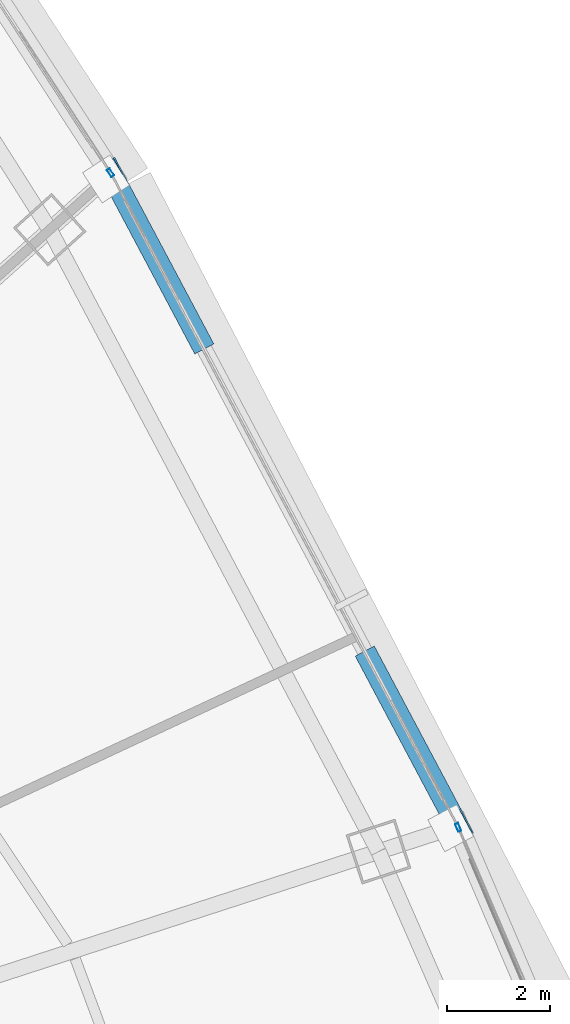
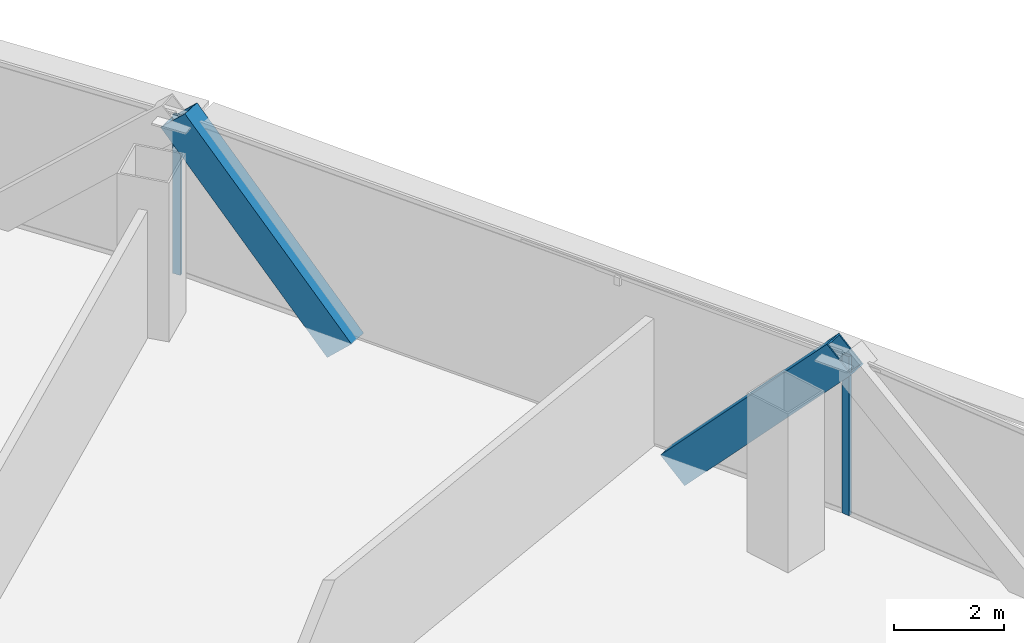
# One storey, part 24 of 36: 4 members, 2 elements without a shape of their own.
"""IFC4 building model written with IfcOpenShell, lengths in metres."""

from ifc_helpers import new_model, si_unit, direction, frame, origin, origin_2d, place, context, subcontext, project, spatial, hollow_rectangle, extrude, source, transform, mapped, material, layer, layer_set, material_profile, profile_set, type_object, element, aggregate, save


model = new_model("IFC4")

# Units and contexts
model_context = context("Model", 3, precision=1e-05, world=origin(), true_north=direction((0.0, 1.0)))
body_context = subcontext(model_context, "Body", "Model", "MODEL_VIEW")
ifc_project = project(units=[si_unit("LENGTHUNIT", "METRE"), si_unit("AREAUNIT", "SQUARE_METRE"), si_unit("VOLUMEUNIT", "CUBIC_METRE"), si_unit("PLANEANGLEUNIT", "RADIAN"), si_unit("MASSUNIT", "GRAM", prefix="KILO"), si_unit("THERMODYNAMICTEMPERATUREUNIT", "KELVIN"), si_unit("POWERUNIT", "WATT")], contexts=[model_context])

# Site, building, storey
site_placement = place(None, origin())
site = spatial("IfcSite", under=ifc_project, at=site_placement, CompositionType="ELEMENT")
building_placement = place(site_placement, origin())
building = spatial("IfcBuilding", under=site, at=building_placement, Name="Yunzhuo Pagoda Commons", CompositionType="ELEMENT")
storey_placement = place(building_placement, frame((0.0, 0.0, 107.780029296875)))
storey = spatial("IfcBuildingStorey", under=building, at=storey_placement, Name="L27", CompositionType="ELEMENT", Elevation=107.780029296875)

# Members
ifc_material_1 = material(Name="Structural steel Q420B", Category="steel")
ifc_material_profile_1 = material_profile(ifc_material_1, hollow_rectangle(XDim=0.419921875, YDim=0.719970703125, WallThickness=0.028076171875, at=origin_2d()), Name="Structural steel Q420B")
ifc_profile_set_1 = profile_set([ifc_material_profile_1], Name="Structural steel Q420B")
member_type_1 = type_object("IfcMemberType", Name="M-DL1 Brace BOX 720x420x28", PredefinedType="BRACE", material=ifc_profile_set_1)
shared_shape_1 = source(origin(), body_context, "Body", "SweptSolid", [
    extrude(hollow_rectangle(XDim=0.419921875, YDim=0.719970703125, WallThickness=0.028076171875, at=origin_2d()), origin(), (0.0, 0.0, 1.0), 5.2236328125),
])
member_1_placement = place(storey_placement, frame((78.845703125, 47.434326171875, -0.259765625), z_axis=(0.321883577499, -0.606002971664, 0.72742790768), x_axis=(0.883149228859, 0.469092144004, 0.0)))
element("IfcMember", 1, at=member_1_placement, inside=storey, type_object=member_type_1, Name="L27 facade diamond brace F2.2L", PredefinedType="BRACE", context=body_context, shape_type="MappedRepresentation", body=[
    mapped(shared_shape_1, transform((0.0, 0.0, 0.0), scale=1.0)),
])
shared_shape_2 = source(origin(), body_context, "Body", "SweptSolid", [
    extrude(hollow_rectangle(XDim=0.419921875, YDim=0.719970703125, WallThickness=0.028076171875, at=origin_2d()), origin(), (0.0, 0.0, 1.0), 5.223876953125),
])
member_2_placement = place(storey_placement, frame((75.48291015625, 53.765869140625, -0.259765625), z_axis=(-0.321874460737, 0.606032544268, 0.727407304619), x_axis=(-0.883164215531, -0.469063927845, 0.0)))
element("IfcMember", 2, at=member_2_placement, inside=storey, type_object=member_type_1, Name="L27 facade diamond brace F2.2R", PredefinedType="BRACE", context=body_context, shape_type="MappedRepresentation", body=[
    mapped(shared_shape_2, transform((0.0, 0.0, 0.0), scale=1.0)),
])

# Curtain wall, member
ifc_material_2 = material(Name="Anodized aluminium 6063-T6", Category="aluminium")
ifc_layer = layer(ifc_material_2, 0.1650390625)
ifc_layer_set = layer_set([ifc_layer], Name="Anodized aluminium 6063-T6")
curtain_wall_type = type_object("IfcCurtainWallType", Name="CW-LOW Low-Zone Ribbon Curtain Wall", PredefinedType="NOTDEFINED", material=ifc_layer_set)
curtain_wall_1_placement = place(storey_placement, origin())
curtain_wall_1 = element("IfcCurtainWall", 3, at=curtain_wall_1_placement, inside=storey, type_object=curtain_wall_type, Name="L27 curtain wall CW-L27-F2B2", PredefinedType="NOTDEFINED")
ifc_material_profile_2 = material_profile(ifc_material_2, hollow_rectangle(XDim=0.06494140625, YDim=0.1650390625, WallThickness=0.00390625, at=origin_2d()), Name="Anodized aluminium 6063-T6")
ifc_profile_set_2 = profile_set([ifc_material_profile_2], Name="Anodized aluminium 6063-T6")
member_type_2 = type_object("IfcMemberType", Name="CW-LOW-M Mullion RHS 165x65x4", PredefinedType="MULLION", material=ifc_profile_set_2)
shared_shape_3 = source(origin(), body_context, "Body", "SweptSolid", [
    extrude(hollow_rectangle(XDim=0.06494140625, YDim=0.1650390625, WallThickness=0.00390625, at=origin_2d()), origin(), (0.0, 0.0, 1.0), 3.5400390625),
])
member_3_placement = place(storey_placement, frame((80.5400390625, 44.239013671875, 0.0), z_axis=(0.0, 0.0, 1.0), x_axis=(-0.919516302226, -0.39305186673, 0.0)))
member_3 = element("IfcMember", 4, at=member_3_placement, type_object=member_type_2, Name="CW mullion 2", PredefinedType="MULLION", context=body_context, shape_type="MappedRepresentation", body=[
    mapped(shared_shape_3, transform((0.0, 0.0, 0.0), scale=1.0)),
])
aggregate(curtain_wall_1, [member_3])

curtain_wall_2_placement = place(storey_placement, origin())
curtain_wall_2 = element("IfcCurtainWall", 5, at=curtain_wall_2_placement, inside=storey, type_object=curtain_wall_type, Name="L27 curtain wall CW-L27-F2B4", PredefinedType="NOTDEFINED")
member_4_placement = place(storey_placement, frame((73.78369140625, 56.958984375, 0.0), z_axis=(0.0, 0.0, 1.0), x_axis=(-0.839039875799, -0.544069928244, 0.0)))
member_4 = element("IfcMember", 6, at=member_4_placement, type_object=member_type_2, Name="CW mullion 1", PredefinedType="MULLION", context=body_context, shape_type="MappedRepresentation", body=[
    mapped(shared_shape_3, transform((0.0, 0.0, 0.0), scale=1.0)),
])
aggregate(curtain_wall_2, [member_4])

save(model, "model.ifc")
